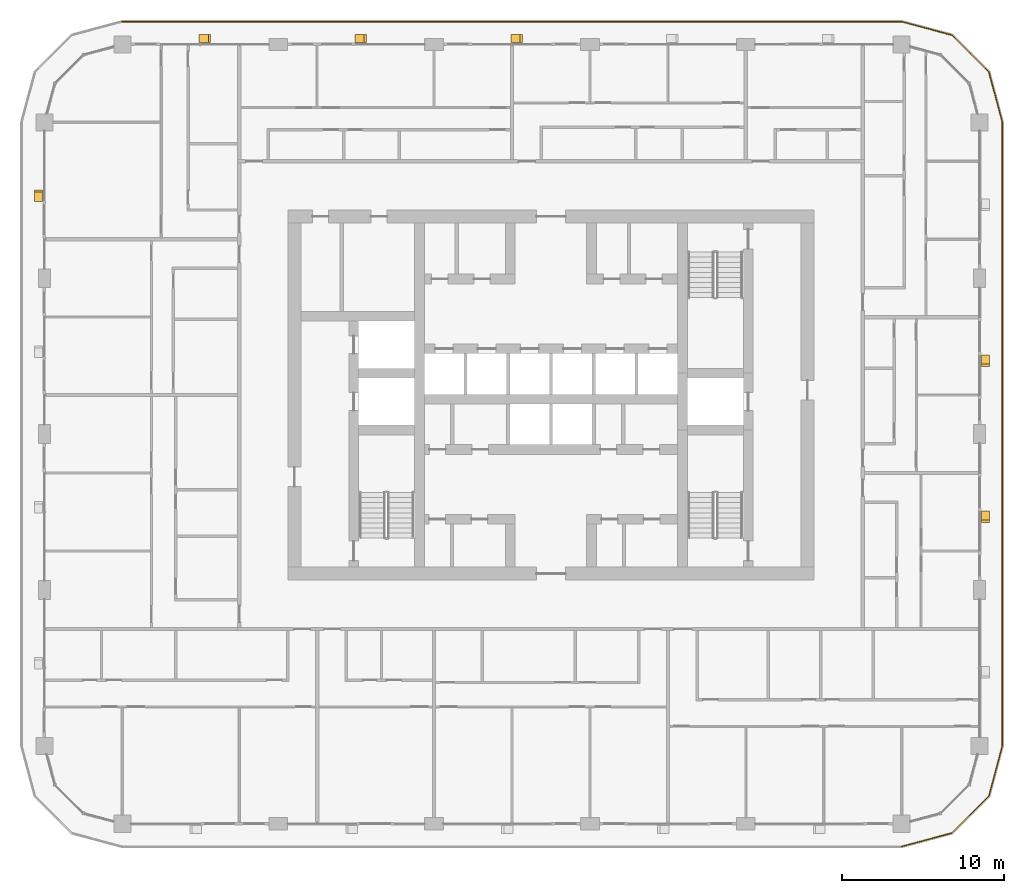
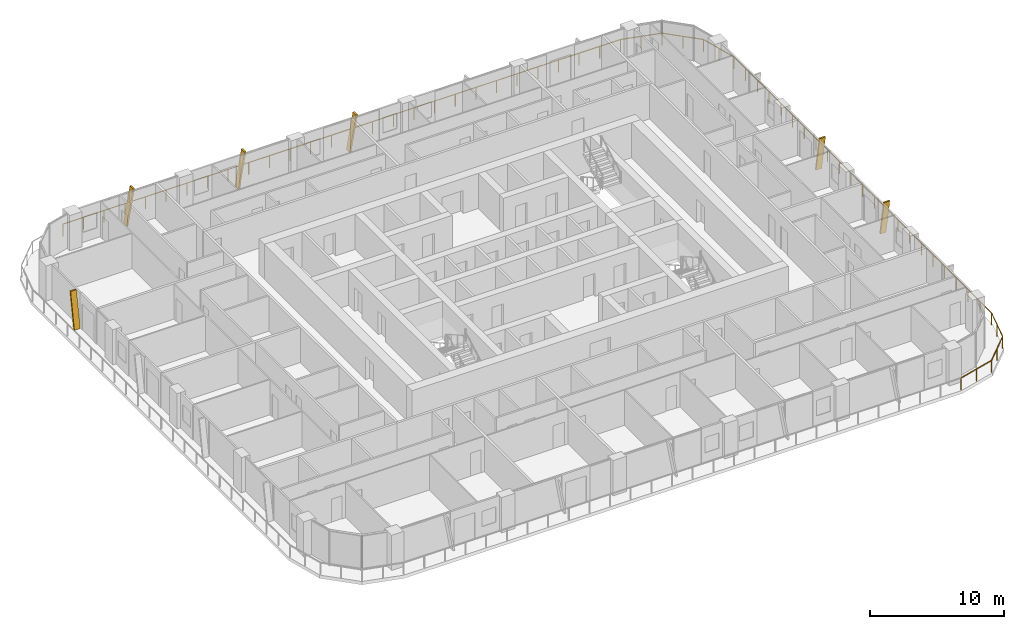
# One storey, part 21 of 22: 6 shading devices, 1 railing.
"""IFC4 building model written with IfcOpenShell, lengths in metres."""

from ifc_helpers import new_model, si_unit, direction, frame, origin, origin_2d, place, context, subcontext, project, spatial, polyline, circle, outline, extrude, material, type_object, element, save


model = new_model("IFC4")

# Units and contexts
model_context = context("Model", 3, precision=1e-05, world=origin(), true_north=direction((0.0, 1.0)))
body_context = subcontext(model_context, "Body", "Model", "MODEL_VIEW")
ifc_project = project(units=[si_unit("LENGTHUNIT", "METRE"), si_unit("AREAUNIT", "SQUARE_METRE"), si_unit("VOLUMEUNIT", "CUBIC_METRE"), si_unit("PLANEANGLEUNIT", "RADIAN"), si_unit("MASSUNIT", "GRAM", prefix="KILO")], contexts=[model_context])

# Site, building, storey
site_placement = place(None, origin())
site = spatial("IfcSite", under=ifc_project, at=site_placement, CompositionType="ELEMENT")
building_placement = place(site_placement, origin())
building = spatial("IfcBuilding", under=site, at=building_placement, Name="Madar Terraces", CompositionType="ELEMENT")
storey_placement = place(building_placement, frame((0.0, 0.0, 166.5)))
storey = spatial("IfcBuildingStorey", under=building, at=storey_placement, Name="L43", CompositionType="ELEMENT", Elevation=166.5)

# Railing
ifc_material_1 = material(Name="Glass, safety glazing, with stainless steel posts", Category="steel")
railing_type = type_object("IfcRailingType", Name="Balcony glass guard 1100", PredefinedType="GUARDRAIL", material=ifc_material_1)
railing_placement = place(storey_placement, frame((52.800048828125, -1.39990234375, 0.0)))
element("IfcRailing", 1, at=railing_placement, inside=storey, type_object=railing_type, Name="Balcony guard", PredefinedType="GUARDRAIL", context=body_context, shape_type="SweptSolid", body=[
    extrude(circle(Radius=0.02392578125, at=origin_2d()), frame((0.0, 0.0, 1.076171875), z_axis=(0.965928696102, 0.258808334578, 0.0), x_axis=(-0.258808334578, 0.965928696102, 0.0)), (0.0, 0.0, 1.0), 3.209228515625),
    extrude(circle(Radius=0.02392578125, at=origin_2d()), frame((3.099853515625, 0.83056640625, 1.076171875), z_axis=(0.707144815061, 0.707068745266, 0.0), x_axis=(-0.707068745266, 0.707144815061, 0.0)), (0.0, 0.0, 1.0), 3.20947265625),
    extrude(circle(Radius=0.02392578125, at=origin_2d()), frame((5.369384765625, 3.099853515625, 1.076171875), z_axis=(0.258789317819, 0.9659337912, 0.0), x_axis=(-0.9659337912, 0.258789317819, 0.0)), (0.0, 0.0, 1.0), 3.20947265625),
    extrude(circle(Radius=0.02392578125, at=origin_2d()), frame((6.199951171875, 6.199951171875, 1.076171875), z_axis=(0.0, 1.0, 0.0), x_axis=(-1.0, 0.0, 0.0)), (0.0, 0.0, 1.0), 38.39990234375),
    extrude(circle(Radius=0.02392578125, at=origin_2d()), frame((6.199951171875, 44.599853515625, 1.076171875), z_axis=(-0.258789317819, 0.9659337912, 0.0), x_axis=(-0.9659337912, -0.258789317819, 0.0)), (0.0, 0.0, 1.0), 3.20947265625),
    extrude(circle(Radius=0.02392578125, at=origin_2d()), frame((5.369384765625, 47.699951171875, 1.076171875), z_axis=(-0.707144815061, 0.707068745266, 0.0), x_axis=(-0.707068745266, -0.707144815061, 0.0)), (0.0, 0.0, 1.0), 3.20947265625),
    extrude(circle(Radius=0.02392578125, at=origin_2d()), frame((3.099853515625, 49.96923828125, 1.076171875), z_axis=(-0.965928696102, 0.258808334578, 0.0), x_axis=(-0.258808334578, -0.965928696102, 0.0)), (0.0, 0.0, 1.0), 3.209228515625),
    extrude(circle(Radius=0.02392578125, at=origin_2d()), frame((0.0, 50.7998046875, 1.076171875), z_axis=(-1.0, 0.0, 0.0), x_axis=(0.0, -1.0, 0.0)), (0.0, 0.0, 1.0), 48.0),
    extrude(circle(Radius=0.02099609375, at=origin_2d()), origin(), (0.0, 0.0, 1.0), 1.052001953125),
    extrude(circle(Radius=0.02099609375, at=origin_2d()), frame((1.5498046875, 0.415283203125, 0.0)), (0.0, 0.0, 1.0), 1.052001953125),
    extrude(circle(Radius=0.02099609375, at=origin_2d()), frame((3.099853515625, 0.83056640625, 0.0)), (0.0, 0.0, 1.0), 1.052001953125),
    extrude(circle(Radius=0.02099609375, at=origin_2d()), frame((4.234619140625, 1.96533203125, 0.0)), (0.0, 0.0, 1.0), 1.052001953125),
    extrude(circle(Radius=0.02099609375, at=origin_2d()), frame((5.369384765625, 3.099853515625, 0.0)), (0.0, 0.0, 1.0), 1.052001953125),
    extrude(circle(Radius=0.02099609375, at=origin_2d()), frame((5.78466796875, 4.64990234375, 0.0)), (0.0, 0.0, 1.0), 1.052001953125),
    extrude(circle(Radius=0.02099609375, at=origin_2d()), frame((6.199951171875, 6.199951171875, 0.0)), (0.0, 0.0, 1.0), 1.052001953125),
    extrude(circle(Radius=0.02099609375, at=origin_2d()), frame((6.199951171875, 7.9453125, 0.0)), (0.0, 0.0, 1.0), 1.052001953125),
    extrude(circle(Radius=0.02099609375, at=origin_2d()), frame((6.199951171875, 9.69091796875, 0.0)), (0.0, 0.0, 1.0), 1.052001953125),
    extrude(circle(Radius=0.02099609375, at=origin_2d()), frame((6.199951171875, 11.436279296875, 0.0)), (0.0, 0.0, 1.0), 1.052001953125),
    extrude(circle(Radius=0.02099609375, at=origin_2d()), frame((6.199951171875, 13.181640625, 0.0)), (0.0, 0.0, 1.0), 1.052001953125),
    extrude(circle(Radius=0.02099609375, at=origin_2d()), frame((6.199951171875, 14.92724609375, 0.0)), (0.0, 0.0, 1.0), 1.052001953125),
    extrude(circle(Radius=0.02099609375, at=origin_2d()), frame((6.199951171875, 16.672607421875, 0.0)), (0.0, 0.0, 1.0), 1.052001953125),
    extrude(circle(Radius=0.02099609375, at=origin_2d()), frame((6.199951171875, 18.418212890625, 0.0)), (0.0, 0.0, 1.0), 1.052001953125),
    extrude(circle(Radius=0.02099609375, at=origin_2d()), frame((6.199951171875, 20.16357421875, 0.0)), (0.0, 0.0, 1.0), 1.052001953125),
    extrude(circle(Radius=0.02099609375, at=origin_2d()), frame((6.199951171875, 21.908935546875, 0.0)), (0.0, 0.0, 1.0), 1.052001953125),
    extrude(circle(Radius=0.02099609375, at=origin_2d()), frame((6.199951171875, 23.654541015625, 0.0)), (0.0, 0.0, 1.0), 1.052001953125),
    extrude(circle(Radius=0.02099609375, at=origin_2d()), frame((6.199951171875, 25.39990234375, 0.0)), (0.0, 0.0, 1.0), 1.052001953125),
    extrude(circle(Radius=0.02099609375, at=origin_2d()), frame((6.199951171875, 27.145263671875, 0.0)), (0.0, 0.0, 1.0), 1.052001953125),
    extrude(circle(Radius=0.02099609375, at=origin_2d()), frame((6.199951171875, 28.890869140625, 0.0)), (0.0, 0.0, 1.0), 1.052001953125),
    extrude(circle(Radius=0.02099609375, at=origin_2d()), frame((6.199951171875, 30.63623046875, 0.0)), (0.0, 0.0, 1.0), 1.052001953125),
    extrude(circle(Radius=0.02099609375, at=origin_2d()), frame((6.199951171875, 32.381591796875, 0.0)), (0.0, 0.0, 1.0), 1.052001953125),
    extrude(circle(Radius=0.02099609375, at=origin_2d()), frame((6.199951171875, 34.127197265625, 0.0)), (0.0, 0.0, 1.0), 1.052001953125),
    extrude(circle(Radius=0.02099609375, at=origin_2d()), frame((6.199951171875, 35.87255859375, 0.0)), (0.0, 0.0, 1.0), 1.052001953125),
    extrude(circle(Radius=0.02099609375, at=origin_2d()), frame((6.199951171875, 37.6181640625, 0.0)), (0.0, 0.0, 1.0), 1.052001953125),
    extrude(circle(Radius=0.02099609375, at=origin_2d()), frame((6.199951171875, 39.363525390625, 0.0)), (0.0, 0.0, 1.0), 1.052001953125),
    extrude(circle(Radius=0.02099609375, at=origin_2d()), frame((6.199951171875, 41.10888671875, 0.0)), (0.0, 0.0, 1.0), 1.052001953125),
    extrude(circle(Radius=0.02099609375, at=origin_2d()), frame((6.199951171875, 42.8544921875, 0.0)), (0.0, 0.0, 1.0), 1.052001953125),
    extrude(circle(Radius=0.02099609375, at=origin_2d()), frame((6.199951171875, 44.599853515625, 0.0)), (0.0, 0.0, 1.0), 1.052001953125),
    extrude(circle(Radius=0.02099609375, at=origin_2d()), frame((5.78466796875, 46.14990234375, 0.0)), (0.0, 0.0, 1.0), 1.052001953125),
    extrude(circle(Radius=0.02099609375, at=origin_2d()), frame((5.369384765625, 47.699951171875, 0.0)), (0.0, 0.0, 1.0), 1.052001953125),
    extrude(circle(Radius=0.02099609375, at=origin_2d()), frame((4.234619140625, 48.83447265625, 0.0)), (0.0, 0.0, 1.0), 1.052001953125),
    extrude(circle(Radius=0.02099609375, at=origin_2d()), frame((3.099853515625, 49.96923828125, 0.0)), (0.0, 0.0, 1.0), 1.052001953125),
    extrude(circle(Radius=0.02099609375, at=origin_2d()), frame((1.5498046875, 50.384521484375, 0.0)), (0.0, 0.0, 1.0), 1.052001953125),
    extrude(circle(Radius=0.02099609375, at=origin_2d()), frame((0.0, 50.7998046875, 0.0)), (0.0, 0.0, 1.0), 1.052001953125),
    extrude(circle(Radius=0.02099609375, at=origin_2d()), frame((-1.77783203125, 50.7998046875, 0.0)), (0.0, 0.0, 1.0), 1.052001953125),
    extrude(circle(Radius=0.02099609375, at=origin_2d()), frame((-3.5556640625, 50.7998046875, 0.0)), (0.0, 0.0, 1.0), 1.052001953125),
    extrude(circle(Radius=0.02099609375, at=origin_2d()), frame((-5.333251953125, 50.7998046875, 0.0)), (0.0, 0.0, 1.0), 1.052001953125),
    extrude(circle(Radius=0.02099609375, at=origin_2d()), frame((-7.111083984375, 50.7998046875, 0.0)), (0.0, 0.0, 1.0), 1.052001953125),
    extrude(circle(Radius=0.02099609375, at=origin_2d()), frame((-8.888916015625, 50.7998046875, 0.0)), (0.0, 0.0, 1.0), 1.052001953125),
    extrude(circle(Radius=0.02099609375, at=origin_2d()), frame((-10.666748046875, 50.7998046875, 0.0)), (0.0, 0.0, 1.0), 1.052001953125),
    extrude(circle(Radius=0.02099609375, at=origin_2d()), frame((-12.4443359375, 50.7998046875, 0.0)), (0.0, 0.0, 1.0), 1.052001953125),
    extrude(circle(Radius=0.02099609375, at=origin_2d()), frame((-14.22216796875, 50.7998046875, 0.0)), (0.0, 0.0, 1.0), 1.052001953125),
    extrude(circle(Radius=0.02099609375, at=origin_2d()), frame((-16.0, 50.7998046875, 0.0)), (0.0, 0.0, 1.0), 1.052001953125),
    extrude(circle(Radius=0.02099609375, at=origin_2d()), frame((-17.77783203125, 50.7998046875, 0.0)), (0.0, 0.0, 1.0), 1.052001953125),
    extrude(circle(Radius=0.02099609375, at=origin_2d()), frame((-19.5556640625, 50.7998046875, 0.0)), (0.0, 0.0, 1.0), 1.052001953125),
    extrude(circle(Radius=0.02099609375, at=origin_2d()), frame((-21.333251953125, 50.7998046875, 0.0)), (0.0, 0.0, 1.0), 1.052001953125),
    extrude(circle(Radius=0.02099609375, at=origin_2d()), frame((-23.111083984375, 50.7998046875, 0.0)), (0.0, 0.0, 1.0), 1.052001953125),
    extrude(circle(Radius=0.02099609375, at=origin_2d()), frame((-24.888916015625, 50.7998046875, 0.0)), (0.0, 0.0, 1.0), 1.052001953125),
    extrude(circle(Radius=0.02099609375, at=origin_2d()), frame((-26.666748046875, 50.7998046875, 0.0)), (0.0, 0.0, 1.0), 1.052001953125),
    extrude(circle(Radius=0.02099609375, at=origin_2d()), frame((-28.4443359375, 50.7998046875, 0.0)), (0.0, 0.0, 1.0), 1.052001953125),
    extrude(circle(Radius=0.02099609375, at=origin_2d()), frame((-30.22216796875, 50.7998046875, 0.0)), (0.0, 0.0, 1.0), 1.052001953125),
    extrude(circle(Radius=0.02099609375, at=origin_2d()), frame((-32.0, 50.7998046875, 0.0)), (0.0, 0.0, 1.0), 1.052001953125),
    extrude(circle(Radius=0.02099609375, at=origin_2d()), frame((-33.77783203125, 50.7998046875, 0.0)), (0.0, 0.0, 1.0), 1.052001953125),
    extrude(circle(Radius=0.02099609375, at=origin_2d()), frame((-35.5556640625, 50.7998046875, 0.0)), (0.0, 0.0, 1.0), 1.052001953125),
    extrude(circle(Radius=0.02099609375, at=origin_2d()), frame((-37.333251953125, 50.7998046875, 0.0)), (0.0, 0.0, 1.0), 1.052001953125),
    extrude(circle(Radius=0.02099609375, at=origin_2d()), frame((-39.111083984375, 50.7998046875, 0.0)), (0.0, 0.0, 1.0), 1.052001953125),
    extrude(circle(Radius=0.02099609375, at=origin_2d()), frame((-40.888916015625, 50.7998046875, 0.0)), (0.0, 0.0, 1.0), 1.052001953125),
    extrude(circle(Radius=0.02099609375, at=origin_2d()), frame((-42.666748046875, 50.7998046875, 0.0)), (0.0, 0.0, 1.0), 1.052001953125),
    extrude(circle(Radius=0.02099609375, at=origin_2d()), frame((-44.4443359375, 50.7998046875, 0.0)), (0.0, 0.0, 1.0), 1.052001953125),
    extrude(circle(Radius=0.02099609375, at=origin_2d()), frame((-46.22216796875, 50.7998046875, 0.0)), (0.0, 0.0, 1.0), 1.052001953125),
    extrude(circle(Radius=0.02099609375, at=origin_2d()), frame((-48.0, 50.7998046875, 0.0)), (0.0, 0.0, 1.0), 1.052001953125),
])

# Shading devices
ifc_material_2 = material(Name="Aluminium, black anodised", Category="aluminium")
shading_device_type = type_object("IfcShadingDeviceType", Name="Facade fin blade 140 x 500", PredefinedType="USERDEFINED", material=ifc_material_2)
for number, where, z_axis, x_axis, name in (
    (2, (57.949951171875, 19.1298828125, 0.0), (0.0, 0.0, 1.0), (0.0, 1.0, 0.0), "FIN L43 E2"),
    (3, (57.949951171875, 28.72998046875, 0.0), (0.0, 0.0, 1.0), (0.0, 1.0, 0.0), "FIN L43 E3"),
    (4, (28.8701171875, 48.35009765625, 0.0), (0.0, 0.0, 1.0), (-1.0, 0.0, 0.0), "FIN L43 N3"),
    (5, (19.27001953125, 48.35009765625, 0.0), (0.0, 0.0, 1.0), (-1.0, 0.0, 0.0), "FIN L43 N4"),
):
    element("IfcShadingDevice", number, at=place(storey_placement, frame(where, z_axis=z_axis, x_axis=x_axis)), inside=storey, type_object=shading_device_type, Name=name, ObjectType="FIN", PredefinedType="USERDEFINED", context=body_context, shape_type="SweptSolid", body=[
        extrude(outline(polyline([(0.0, 0.0), (0.14013671875, 0.0), (-0.42431640625, 3.199951171875), (-0.564208984375, 3.199951171875), (0.0, 0.0)])), frame((0.0, 0.25, 0.0), z_axis=(0.0, -1.0, 0.0), x_axis=(1.0, 0.0, 0.0)), (0.0, 0.0, 1.0), 0.5),
    ])
for number, where, z_axis, x_axis, name in (
    (6, (9.669921875, 48.35009765625, 0.0), (0.0, 0.0, 1.0), (-1.0, 0.0, 0.0), "FIN L43 N5"),
    (7, (-0.35009765625, 38.469970703125, 0.0), (0.0, 0.0, 1.0), (0.0, -1.0, 0.0), "FIN L43 W1"),
):
    element("IfcShadingDevice", number, at=place(storey_placement, frame(where, z_axis=z_axis, x_axis=x_axis)), inside=storey, type_object=shading_device_type, Name=name, ObjectType="FIN", PredefinedType="USERDEFINED", context=body_context, shape_type="SweptSolid", body=[
        extrude(outline(polyline([(0.0, 0.0), (0.139892578125, 0.0), (-0.42431640625, 3.199951171875), (-0.564208984375, 3.199951171875), (0.0, 0.0)])), frame((0.0, 0.25, 0.0), z_axis=(0.0, -1.0, 0.0), x_axis=(1.0, 0.0, 0.0)), (0.0, 0.0, 1.0), 0.5),
    ])

save(model, "model.ifc")
